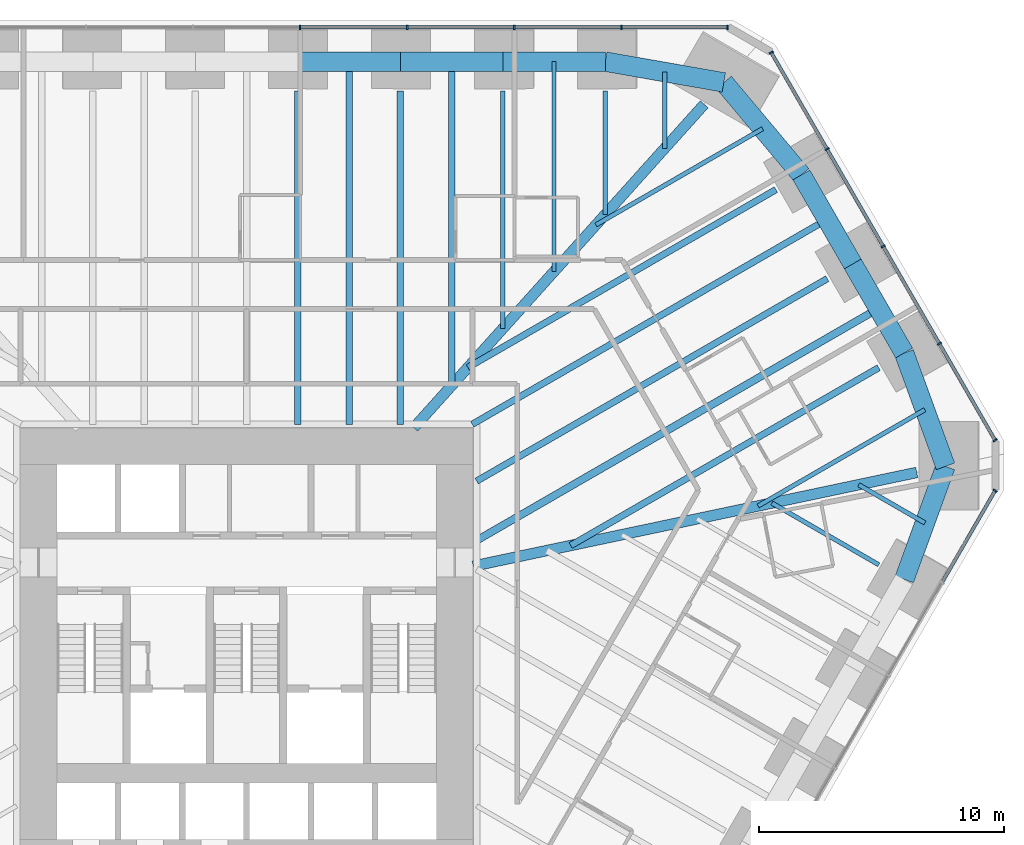
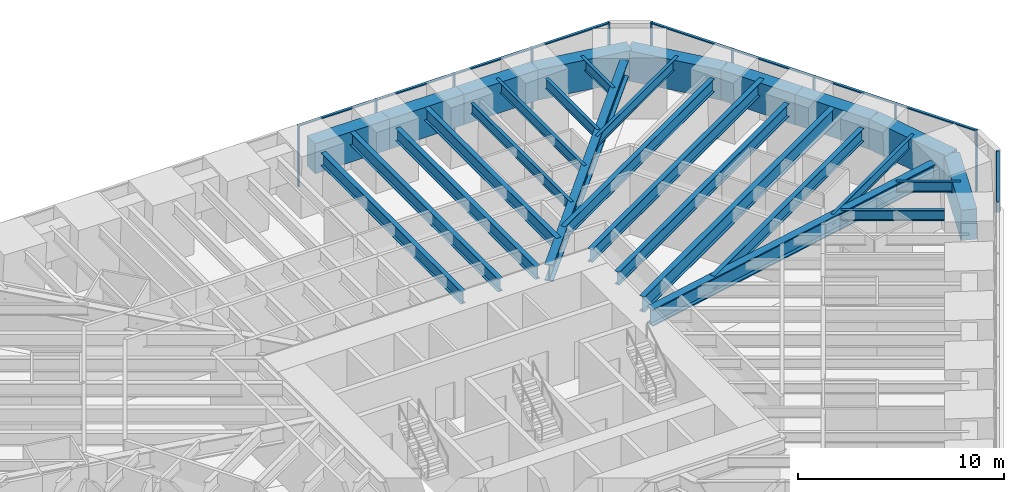
# One storey, part 9 of 17: 28 beams, 20 members, 3 elements without a shape of their own.
"""IFC4 building model written with IfcOpenShell, lengths in metres."""

from ifc_helpers import new_model, si_unit, direction, frame, origin, origin_2d, place, context, subcontext, project, spatial, rectangle, i_section, extrude, material, material_profile, profile_set, type_object, element, aggregate, save


model = new_model("IFC4")

# Units and contexts
model_context = context("Model", 3, precision=1e-05, world=origin(), true_north=direction((0.0, 1.0)))
body_context = subcontext(model_context, "Body", "Model", "MODEL_VIEW")
ifc_project = project(units=[si_unit("LENGTHUNIT", "METRE"), si_unit("AREAUNIT", "SQUARE_METRE"), si_unit("VOLUMEUNIT", "CUBIC_METRE"), si_unit("PLANEANGLEUNIT", "RADIAN"), si_unit("MASSUNIT", "GRAM", prefix="KILO")], contexts=[model_context])

# Site, building, storey
site_placement = place(None, origin())
site = spatial("IfcSite", under=ifc_project, at=site_placement, CompositionType="ELEMENT")
building_placement = place(site_placement, origin())
building = spatial("IfcBuilding", under=site, at=building_placement, Name="Sandreach Pilgrim Tower", CompositionType="ELEMENT")
storey_placement = place(building_placement, frame((0.0, 0.0, 57.199951171875)))
storey = spatial("IfcBuildingStorey", under=building, at=storey_placement, Name="L13", CompositionType="ELEMENT", Elevation=57.199951171875)

# Curtain wall, members
ifc_material_1 = material(Name="Aluminium framed curtain wall", Category="aluminium")
curtain_wall_type = type_object("IfcCurtainWallType", Name="Hostel tower curtain wall", PredefinedType="NOTDEFINED", material=ifc_material_1)
curtain_wall_1_placement = place(storey_placement, origin())
curtain_wall_1 = element("IfcCurtainWall", 1, at=curtain_wall_1_placement, inside=storey, type_object=curtain_wall_type, Name="CW-1 L13 N", PredefinedType="NOTDEFINED")
ifc_material_2 = material(Name="Aluminium extrusion", Category="aluminium")
ifc_material_profile_1 = material_profile(ifc_material_2, rectangle(XDim=0.06494140625, YDim=0.179931640625, at=origin_2d()), Name="CW-1M 65X180")
ifc_profile_set_1 = profile_set([ifc_material_profile_1], Name="Aluminium extrusion")
member_type_1 = type_object("IfcMemberType", Name="CW-1 mullion", PredefinedType="MULLION", material=ifc_profile_set_1)
member_1_placement = place(storey_placement, frame((2.185791015625, 23.94873046875, 0.0), z_axis=(0.0, 0.0, 1.0), x_axis=(1.0, 0.0, 0.0)))
member_1 = element("IfcMember", 2, at=member_1_placement, type_object=member_type_1, Name="CW-1 mullion 6", PredefinedType="MULLION", context=body_context, shape_type="SweptSolid", body=[
    extrude(rectangle(XDim=0.06494140625, YDim=0.179931640625, at=origin_2d()), origin(), (0.0, 0.0, 1.0), 3.64013671875),
])
member_2_placement = place(storey_placement, frame((6.557373046875, 23.94873046875, 0.0), z_axis=(0.0, 0.0, 1.0), x_axis=(1.0, 0.0, 0.0)))
member_2 = element("IfcMember", 3, at=member_2_placement, type_object=member_type_1, Name="CW-1 mullion 7", PredefinedType="MULLION", context=body_context, shape_type="SweptSolid", body=[
    extrude(rectangle(XDim=0.06494140625, YDim=0.179931640625, at=origin_2d()), origin(), (0.0, 0.0, 1.0), 3.64013671875),
])
member_3_placement = place(storey_placement, frame((10.928955078125, 23.94873046875, 0.0), z_axis=(0.0, 0.0, 1.0), x_axis=(1.0, 0.0, 0.0)))
member_3 = element("IfcMember", 4, at=member_3_placement, type_object=member_type_1, Name="CW-1 mullion 8", PredefinedType="MULLION", context=body_context, shape_type="SweptSolid", body=[
    extrude(rectangle(XDim=0.06494140625, YDim=0.179931640625, at=origin_2d()), origin(), (0.0, 0.0, 1.0), 3.64013671875),
])
member_4_placement = place(storey_placement, frame((15.300537109375, 23.94873046875, 0.0), z_axis=(0.0, 0.0, 1.0), x_axis=(1.0, 0.0, 0.0)))
member_4 = element("IfcMember", 5, at=member_4_placement, type_object=member_type_1, Name="CW-1 mullion 9", PredefinedType="MULLION", context=body_context, shape_type="SweptSolid", body=[
    extrude(rectangle(XDim=0.06494140625, YDim=0.179931640625, at=origin_2d()), origin(), (0.0, 0.0, 1.0), 3.64013671875),
])
member_5_placement = place(storey_placement, frame((19.6396484375, 23.94873046875, 0.0), z_axis=(0.0, 0.0, 1.0), x_axis=(1.0, 0.0, 0.0)))
member_5 = element("IfcMember", 6, at=member_5_placement, type_object=member_type_1, Name="CW-1 mullion 10", PredefinedType="MULLION", context=body_context, shape_type="SweptSolid", body=[
    extrude(rectangle(XDim=0.06494140625, YDim=0.179931640625, at=origin_2d()), origin(), (0.0, 0.0, 1.0), 3.64013671875),
])

curtain_wall_2_placement = place(storey_placement, origin())
curtain_wall_2 = element("IfcCurtainWall", 7, at=curtain_wall_2_placement, inside=storey, type_object=curtain_wall_type, Name="CW-1 L13 NE", PredefinedType="NOTDEFINED")
member_6_placement = place(storey_placement, frame((21.42041015625, 22.920654296875, 0.0), z_axis=(0.0, 0.0, 1.0), x_axis=(0.5, -0.866025403784, 0.0)))
member_6 = element("IfcMember", 8, at=member_6_placement, type_object=member_type_1, Name="CW-1 mullion 1", PredefinedType="MULLION", context=body_context, shape_type="SweptSolid", body=[
    extrude(rectangle(XDim=0.06494140625, YDim=0.179931640625, at=origin_2d()), origin(), (0.0, 0.0, 1.0), 3.64013671875),
])
member_7_placement = place(storey_placement, frame((23.697265625, 18.97705078125, 0.0), z_axis=(0.0, 0.0, 1.0), x_axis=(0.5, -0.866025403784, 0.0)))
member_7 = element("IfcMember", 9, at=member_7_placement, type_object=member_type_1, Name="CW-1 mullion 2", PredefinedType="MULLION", context=body_context, shape_type="SweptSolid", body=[
    extrude(rectangle(XDim=0.06494140625, YDim=0.179931640625, at=origin_2d()), origin(), (0.0, 0.0, 1.0), 3.64013671875),
])
member_8_placement = place(storey_placement, frame((25.990234375, 15.00537109375, 0.0), z_axis=(0.0, 0.0, 1.0), x_axis=(0.5, -0.866025403784, 0.0)))
member_8 = element("IfcMember", 10, at=member_8_placement, type_object=member_type_1, Name="CW-1 mullion 3", PredefinedType="MULLION", context=body_context, shape_type="SweptSolid", body=[
    extrude(rectangle(XDim=0.06494140625, YDim=0.179931640625, at=origin_2d()), origin(), (0.0, 0.0, 1.0), 3.64013671875),
])
member_9_placement = place(storey_placement, frame((28.283203125, 11.03369140625, 0.0), z_axis=(0.0, 0.0, 1.0), x_axis=(0.5, -0.866025403784, 0.0)))
member_9 = element("IfcMember", 11, at=member_9_placement, type_object=member_type_1, Name="CW-1 mullion 4", PredefinedType="MULLION", context=body_context, shape_type="SweptSolid", body=[
    extrude(rectangle(XDim=0.06494140625, YDim=0.179931640625, at=origin_2d()), origin(), (0.0, 0.0, 1.0), 3.64013671875),
])
member_10_placement = place(storey_placement, frame((30.56005859375, 7.09033203125, 0.0), z_axis=(0.0, 0.0, 1.0), x_axis=(0.5, -0.866025403784, 0.0)))
member_10 = element("IfcMember", 12, at=member_10_placement, type_object=member_type_1, Name="CW-1 mullion 5", PredefinedType="MULLION", context=body_context, shape_type="SweptSolid", body=[
    extrude(rectangle(XDim=0.06494140625, YDim=0.179931640625, at=origin_2d()), origin(), (0.0, 0.0, 1.0), 3.64013671875),
])

# Curtain wall, member
curtain_wall_3_placement = place(storey_placement, origin())
curtain_wall_3 = element("IfcCurtainWall", 13, at=curtain_wall_3_placement, inside=storey, type_object=curtain_wall_type, Name="CW-1 L13 SE", PredefinedType="NOTDEFINED")
member_11_placement = place(storey_placement, frame((30.56005859375, 5.033935546875, 0.0), z_axis=(0.0, 0.0, 1.0), x_axis=(-0.5, -0.866025403784, 0.0)))
member_11 = element("IfcMember", 14, at=member_11_placement, type_object=member_type_1, Name="CW-1 mullion 1", PredefinedType="MULLION", context=body_context, shape_type="SweptSolid", body=[
    extrude(rectangle(XDim=0.06494140625, YDim=0.179931640625, at=origin_2d()), origin(), (0.0, 0.0, 1.0), 3.64013671875),
])

# Member
ifc_material_3 = material(Name="Aluminium extrusion", Category="aluminium")
ifc_material_profile_2 = material_profile(ifc_material_3, rectangle(XDim=0.139892578125, YDim=0.070068359375, at=origin_2d()), Name="CW-1T 140X70")
ifc_profile_set_2 = profile_set([ifc_material_profile_2], Name="Aluminium extrusion")
member_type_2 = type_object("IfcMemberType", Name="CW-1 transom", PredefinedType="USERDEFINED", material=ifc_profile_set_2)
member_12_placement = place(storey_placement, frame((2.21826171875, 23.94873046875, 3.60498046875), z_axis=(1.0, 0.0, 0.0), x_axis=(0.0, 1.0, 0.0)))
member_12 = element("IfcMember", 15, at=member_12_placement, type_object=member_type_2, Name="CW-1 head transom 6", ObjectType="TRANSOM", PredefinedType="USERDEFINED", context=body_context, shape_type="SweptSolid", body=[
    extrude(rectangle(XDim=0.139892578125, YDim=0.070068359375, at=origin_2d()), origin(), (0.0, 0.0, 1.0), 4.306640625),
])

member_13_placement = place(storey_placement, frame((6.58984375, 23.94873046875, 3.60498046875), z_axis=(1.0, 0.0, 0.0), x_axis=(0.0, 1.0, 0.0)))
member_13 = element("IfcMember", 16, at=member_13_placement, type_object=member_type_2, Name="CW-1 head transom 7", ObjectType="TRANSOM", PredefinedType="USERDEFINED", context=body_context, shape_type="SweptSolid", body=[
    extrude(rectangle(XDim=0.139892578125, YDim=0.070068359375, at=origin_2d()), origin(), (0.0, 0.0, 1.0), 4.306640625),
])

member_14_placement = place(storey_placement, frame((10.96142578125, 23.94873046875, 3.60498046875), z_axis=(1.0, 0.0, 0.0), x_axis=(0.0, 1.0, 0.0)))
member_14 = element("IfcMember", 17, at=member_14_placement, type_object=member_type_2, Name="CW-1 head transom 8", ObjectType="TRANSOM", PredefinedType="USERDEFINED", context=body_context, shape_type="SweptSolid", body=[
    extrude(rectangle(XDim=0.139892578125, YDim=0.070068359375, at=origin_2d()), origin(), (0.0, 0.0, 1.0), 4.306640625),
])

member_15_placement = place(storey_placement, frame((15.3330078125, 23.94873046875, 3.60498046875), z_axis=(1.0, 0.0, 0.0), x_axis=(0.0, 1.0, 0.0)))
member_15 = element("IfcMember", 18, at=member_15_placement, type_object=member_type_2, Name="CW-1 head transom 9", ObjectType="TRANSOM", PredefinedType="USERDEFINED", context=body_context, shape_type="SweptSolid", body=[
    extrude(rectangle(XDim=0.139892578125, YDim=0.070068359375, at=origin_2d()), origin(), (0.0, 0.0, 1.0), 4.274169921875),
])

aggregate(curtain_wall_1, [member_1, member_2, member_3, member_4, member_5, member_12, member_13, member_14, member_15])

member_16_placement = place(storey_placement, frame((21.4365234375, 22.892333984375, 3.60498046875), z_axis=(0.500017500808, -0.866015299452, 0.0), x_axis=(0.866015299452, 0.500017500808, 0.0)))
member_16 = element("IfcMember", 19, at=member_16_placement, type_object=member_type_2, Name="CW-1 head transom 1", ObjectType="TRANSOM", PredefinedType="USERDEFINED", context=body_context, shape_type="SweptSolid", body=[
    extrude(rectangle(XDim=0.139892578125, YDim=0.070068359375, at=origin_2d()), origin(), (0.0, 0.0, 1.0), 4.488525390625),
])

member_17_placement = place(storey_placement, frame((23.71337890625, 18.948974609375, 3.60498046875), z_axis=(0.500001366228, -0.866024614991, 0.0), x_axis=(0.866024614991, 0.500001366228, 0.0)))
member_17 = element("IfcMember", 20, at=member_17_placement, type_object=member_type_2, Name="CW-1 head transom 2", ObjectType="TRANSOM", PredefinedType="USERDEFINED", context=body_context, shape_type="SweptSolid", body=[
    extrude(rectangle(XDim=0.139892578125, YDim=0.070068359375, at=origin_2d()), origin(), (0.0, 0.0, 1.0), 4.52099609375),
])

member_18_placement = place(storey_placement, frame((26.00634765625, 14.977294921875, 3.60498046875), z_axis=(0.500001366228, -0.866024614991, 0.0), x_axis=(0.866024614991, 0.500001366228, 0.0)))
member_18 = element("IfcMember", 21, at=member_18_placement, type_object=member_type_2, Name="CW-1 head transom 3", ObjectType="TRANSOM", PredefinedType="USERDEFINED", context=body_context, shape_type="SweptSolid", body=[
    extrude(rectangle(XDim=0.139892578125, YDim=0.070068359375, at=origin_2d()), origin(), (0.0, 0.0, 1.0), 4.52099609375),
])

member_19_placement = place(storey_placement, frame((28.299560546875, 11.005615234375, 3.60498046875), z_axis=(0.499976706761, -0.866038851724, 0.0), x_axis=(0.866038851724, 0.499976706761, 0.0)))
member_19 = element("IfcMember", 22, at=member_19_placement, type_object=member_type_2, Name="CW-1 head transom 4", ObjectType="TRANSOM", PredefinedType="USERDEFINED", context=body_context, shape_type="SweptSolid", body=[
    extrude(rectangle(XDim=0.139892578125, YDim=0.070068359375, at=origin_2d()), origin(), (0.0, 0.0, 1.0), 4.488525390625),
])

aggregate(curtain_wall_2, [member_6, member_7, member_8, member_9, member_10, member_16, member_17, member_18, member_19])

member_20_placement = place(storey_placement, frame((30.543701171875, 5.005859375, 3.60498046875), z_axis=(-0.499991113271, -0.866030534479, 0.0), x_axis=(0.866030534479, -0.499991113271, 0.0)))
member_20 = element("IfcMember", 23, at=member_20_placement, type_object=member_type_2, Name="CW-1 head transom 1", ObjectType="TRANSOM", PredefinedType="USERDEFINED", context=body_context, shape_type="SweptSolid", body=[
    extrude(rectangle(XDim=0.139892578125, YDim=0.070068359375, at=origin_2d()), origin(), (0.0, 0.0, 1.0), 4.27392578125),
])

aggregate(curtain_wall_3, [member_11, member_20])

# Beams
ifc_material_4 = material(Name="Steel ASTM A992 Grade 50", Category="steel")
ifc_material_profile_3 = material_profile(ifc_material_4, i_section(OverallWidth=0.431884765625, OverallDepth=0.988037109375, WebThickness=0.034423828125, FlangeThickness=0.06201171875, at=origin_2d()), Name="W36X441")
ifc_profile_set_3 = profile_set([ifc_material_profile_3], Name="Steel ASTM A992 Grade 50")
beam_type_1 = type_object("IfcBeamType", Name="Corner girder W36X441", PredefinedType="BEAM", material=ifc_profile_set_3)
beam_1_placement = place(storey_placement, frame((18.68310546875, 20.806640625, 3.14599609375), z_axis=(-0.668123819585, -0.744050106984, 0.0), x_axis=(0.744050106984, -0.668123819585, 0.0)))
element("IfcBeam", 24, at=beam_1_placement, inside=storey, type_object=beam_type_1, Name="BM L13 CG09", PredefinedType="BEAM", context=body_context, shape_type="SweptSolid", body=[
    extrude(i_section(OverallWidth=0.431884765625, OverallDepth=0.988037109375, WebThickness=0.034423828125, FlangeThickness=0.06201171875, at=origin_2d()), origin(), (0.0, 0.0, 1.0), 17.74951171875),
])
ifc_material_5 = material(Name="Steel ASTM A992 Grade 50", Category="steel")
ifc_material_profile_4 = material_profile(ifc_material_5, i_section(OverallWidth=0.434326171875, OverallDepth=0.998291015625, WebThickness=0.0380859375, FlangeThickness=0.068115234375, at=origin_2d()), Name="W36X487")
ifc_profile_set_4 = profile_set([ifc_material_profile_4], Name="Steel ASTM A992 Grade 50")
beam_type_2 = type_object("IfcBeamType", Name="Corner girder W36X487", PredefinedType="BEAM", material=ifc_profile_set_4)
beam_2_placement = place(storey_placement, frame((27.360595703125, 5.776611328125, 3.140869140625), z_axis=(-0.978430107738, -0.206578131157, 0.0), x_axis=(0.206578131157, -0.978430107738, 0.0)))
element("IfcBeam", 25, at=beam_2_placement, inside=storey, type_object=beam_type_2, Name="BM L13 CG13", PredefinedType="BEAM", context=body_context, shape_type="SweptSolid", body=[
    extrude(i_section(OverallWidth=0.434326171875, OverallDepth=0.998291015625, WebThickness=0.0380859375, FlangeThickness=0.068115234375, at=origin_2d()), origin(), (0.0, 0.0, 1.0), 18.509765625),
])
ifc_material_6 = material(Name="Steel ASTM A992 Grade 50", Category="steel")
ifc_material_profile_5 = material_profile(ifc_material_6, i_section(OverallWidth=0.1787109375, OverallDepth=0.60205078125, WebThickness=0.010986328125, FlangeThickness=0.014892578125, at=origin_2d()), Name="W24X62")
ifc_profile_set_5 = profile_set([ifc_material_profile_5], Name="Steel ASTM A992 Grade 50")
beam_type_3 = type_object("IfcBeamType", Name="Floor beam W24X62", PredefinedType="BEAM", material=ifc_profile_set_5)
beam_3_placement = place(storey_placement, frame((10.4599609375, 21.34912109375, 3.339111328125), z_axis=(0.0, -1.0, 0.0), x_axis=(1.0, 0.0, 0.0)))
element("IfcBeam", 26, at=beam_3_placement, inside=storey, type_object=beam_type_3, Name="BM L13 F07", PredefinedType="BEAM", context=body_context, shape_type="SweptSolid", body=[
    extrude(i_section(OverallWidth=0.1787109375, OverallDepth=0.60205078125, WebThickness=0.010986328125, FlangeThickness=0.014892578125, at=origin_2d()), origin(), (0.0, 0.0, 1.0), 9.7001953125),
])
for number, where, z_axis, x_axis, name in (
    (27, (14.64404296875, 21.34912109375, 3.339111328125), (0.0, -1.0, 0.0), (1.0, 0.0, 0.0), "BM L13 F08"),
    (28, (25.810791015625, 2.007568359375, 3.339111328125), (-0.866025882247, 0.499999171277, 0.0), (-0.499999171277, -0.866025882247, 0.0), "BM L13 F14"),
):
    element("IfcBeam", number, at=place(storey_placement, frame(where, z_axis=z_axis, x_axis=x_axis)), inside=storey, type_object=beam_type_3, Name=name, PredefinedType="BEAM", context=body_context, shape_type="SweptSolid", body=[
        extrude(i_section(OverallWidth=0.1787109375, OverallDepth=0.60205078125, WebThickness=0.010986328125, FlangeThickness=0.014892578125, at=origin_2d()), origin(), (0.0, 0.0, 1.0), 5.04052734375),
    ])
beam_4_placement = place(storey_placement, frame((12.552001953125, 22.549072265625, 3.339111328125), z_axis=(0.0, -1.0, 0.0), x_axis=(1.0, 0.0, 0.0)))
element("IfcBeam", 29, at=beam_4_placement, inside=storey, type_object=beam_type_3, Name="BM L13 FM07", PredefinedType="BEAM", context=body_context, shape_type="SweptSolid", body=[
    extrude(i_section(OverallWidth=0.1787109375, OverallDepth=0.60205078125, WebThickness=0.010986328125, FlangeThickness=0.014892578125, at=origin_2d()), origin(), (0.0, 0.0, 1.0), 8.5703125),
])
beam_5_placement = place(storey_placement, frame((17.064453125, 22.124267578125, 3.339111328125), z_axis=(0.0, -1.0, 0.0), x_axis=(1.0, 0.0, 0.0)))
element("IfcBeam", 30, at=beam_5_placement, inside=storey, type_object=beam_type_3, Name="BM L13 FM08", PredefinedType="BEAM", context=body_context, shape_type="SweptSolid", body=[
    extrude(i_section(OverallWidth=0.1787109375, OverallDepth=0.60205078125, WebThickness=0.010986328125, FlangeThickness=0.014892578125, at=origin_2d()), origin(), (0.0, 0.0, 1.0), 3.120361328125),
])
for number, where, z_axis, x_axis, name in (
    (31, (21.067138671875, 19.81103515625, 3.339111328125), (-0.866026787189, -0.499997603866, 0.0), (0.499997603866, -0.866026787189, 0.0), "BM L13 FM09"),
    (32, (27.6904296875, 8.339111328125, 3.339111328125), (-0.866026787189, -0.499997603866, 0.0), (0.499997603866, -0.866026787189, 0.0), "BM L13 FM12"),
):
    element("IfcBeam", number, at=place(storey_placement, frame(where, z_axis=z_axis, x_axis=x_axis)), inside=storey, type_object=beam_type_3, Name=name, PredefinedType="BEAM", context=body_context, shape_type="SweptSolid", body=[
        extrude(i_section(OverallWidth=0.1787109375, OverallDepth=0.60205078125, WebThickness=0.010986328125, FlangeThickness=0.014892578125, at=origin_2d()), origin(), (0.0, 0.0, 1.0), 7.85986328125),
    ])
beam_6_placement = place(storey_placement, frame((27.6923828125, 3.716064453125, 3.339111328125), z_axis=(-0.866048783957, 0.499959502167, 0.0), x_axis=(-0.499959502167, -0.866048783957, 0.0)))
element("IfcBeam", 33, at=beam_6_placement, inside=storey, type_object=beam_type_3, Name="BM L13 FM13", PredefinedType="BEAM", context=body_context, shape_type="SweptSolid", body=[
    extrude(i_section(OverallWidth=0.1787109375, OverallDepth=0.60205078125, WebThickness=0.010986328125, FlangeThickness=0.014892578125, at=origin_2d()), origin(), (0.0, 0.0, 1.0), 3.120361328125),
])
ifc_material_7 = material(Name="Steel ASTM A992 Grade 50", Category="steel")
ifc_material_profile_6 = material_profile(ifc_material_7, i_section(OverallWidth=0.2666015625, OverallDepth=0.761962890625, WebThickness=0.014404296875, FlangeThickness=0.021484375, at=origin_2d()), Name="W30X116")
ifc_profile_set_6 = profile_set([ifc_material_profile_6], Name="Steel ASTM A992 Grade 50")
beam_type_4 = type_object("IfcBeamType", Name="Floor beam W30X116", PredefinedType="BEAM", material=ifc_profile_set_6)
for number, where, z_axis, x_axis, name in (
    (34, (2.092041015625, 21.34912109375, 3.259033203125), (0.0, -1.0, 0.0), (1.0, 0.0, 0.0), "BM L13 F05"),
    (35, (6.276123046875, 21.34912109375, 3.259033203125), (0.0, -1.0, 0.0), (1.0, 0.0, 0.0), "BM L13 F06"),
):
    element("IfcBeam", number, at=place(storey_placement, frame(where, z_axis=z_axis, x_axis=x_axis)), inside=storey, type_object=beam_type_4, Name=name, PredefinedType="BEAM", context=body_context, shape_type="SweptSolid", body=[
        extrude(i_section(OverallWidth=0.2666015625, OverallDepth=0.761962890625, WebThickness=0.014404296875, FlangeThickness=0.021484375, at=origin_2d()), origin(), (0.0, 0.0, 1.0), 13.605712890625),
    ])
beam_7_placement = place(storey_placement, frame((21.6103515625, 17.322509765625, 3.259033203125), z_axis=(-0.866032706045, -0.4999873519, 0.0), x_axis=(0.4999873519, -0.866032706045, 0.0)))
element("IfcBeam", 36, at=beam_7_placement, inside=storey, type_object=beam_type_4, Name="BM L13 F10", PredefinedType="BEAM", context=body_context, shape_type="SweptSolid", body=[
    extrude(i_section(OverallWidth=0.2666015625, OverallDepth=0.761962890625, WebThickness=0.014404296875, FlangeThickness=0.021484375, at=origin_2d()), origin(), (0.0, 0.0, 1.0), 14.52001953125),
])
beam_8_placement = place(storey_placement, frame((25.806884765625, 10.0537109375, 3.259033203125), z_axis=(-0.866021221762, -0.500007243405, 0.0), x_axis=(0.500007243405, -0.866021221762, 0.0)))
element("IfcBeam", 37, at=beam_8_placement, inside=storey, type_object=beam_type_4, Name="BM L13 F12", PredefinedType="BEAM", context=body_context, shape_type="SweptSolid", body=[
    extrude(i_section(OverallWidth=0.2666015625, OverallDepth=0.761962890625, WebThickness=0.014404296875, FlangeThickness=0.021484375, at=origin_2d()), origin(), (0.0, 0.0, 1.0), 14.519775390625),
])
beam_9_placement = place(storey_placement, frame((4.18408203125, 22.549072265625, 3.259033203125), z_axis=(0.0, -1.0, 0.0), x_axis=(1.0, 0.0, 0.0)))
element("IfcBeam", 38, at=beam_9_placement, inside=storey, type_object=beam_type_4, Name="BM L13 FM05", PredefinedType="BEAM", context=body_context, shape_type="SweptSolid", body=[
    extrude(i_section(OverallWidth=0.2666015625, OverallDepth=0.761962890625, WebThickness=0.014404296875, FlangeThickness=0.021484375, at=origin_2d()), origin(), (0.0, 0.0, 1.0), 14.8056640625),
])
beam_10_placement = place(storey_placement, frame((8.367919921875, 22.549072265625, 3.259033203125), z_axis=(0.0, -1.0, 0.0), x_axis=(1.0, 0.0, 0.0)))
element("IfcBeam", 39, at=beam_10_placement, inside=storey, type_object=beam_type_4, Name="BM L13 FM06", PredefinedType="BEAM", context=body_context, shape_type="SweptSolid", body=[
    extrude(i_section(OverallWidth=0.2666015625, OverallDepth=0.761962890625, WebThickness=0.014404296875, FlangeThickness=0.021484375, at=origin_2d()), origin(), (0.0, 0.0, 1.0), 13.22998046875),
])
ifc_material_8 = material(Name="Steel ASTM A992 Grade 50", Category="steel")
ifc_material_profile_7 = material_profile(ifc_material_8, i_section(OverallWidth=0.2666015625, OverallDepth=0.77978515625, WebThickness=0.0166015625, FlangeThickness=0.030029296875, at=origin_2d()), Name="W30X148")
ifc_profile_set_7 = profile_set([ifc_material_profile_7], Name="Steel ASTM A992 Grade 50")
beam_type_5 = type_object("IfcBeamType", Name="Floor beam W30X148", PredefinedType="BEAM", material=ifc_profile_set_7)
beam_11_placement = place(storey_placement, frame((23.708740234375, 13.688232421875, 3.250244140625), z_axis=(-0.866028667884, -0.499994346372, 0.0), x_axis=(0.499994346372, -0.866028667884, 0.0)))
element("IfcBeam", 40, at=beam_11_placement, inside=storey, type_object=beam_type_5, Name="BM L13 F11", PredefinedType="BEAM", context=body_context, shape_type="SweptSolid", body=[
    extrude(i_section(OverallWidth=0.2666015625, OverallDepth=0.77978515625, WebThickness=0.0166015625, FlangeThickness=0.030029296875, at=origin_2d()), origin(), (0.0, 0.0, 1.0), 16.530029296875),
])
beam_12_placement = place(storey_placement, frame((23.69873046875, 16.10546875, 3.250244140625), z_axis=(-0.86602732995, -0.499996663769, 0.0), x_axis=(0.499996663769, -0.86602732995, 0.0)))
element("IfcBeam", 41, at=beam_12_placement, inside=storey, type_object=beam_type_5, Name="BM L13 FM10", PredefinedType="BEAM", context=body_context, shape_type="SweptSolid", body=[
    extrude(i_section(OverallWidth=0.2666015625, OverallDepth=0.77978515625, WebThickness=0.0166015625, FlangeThickness=0.030029296875, at=origin_2d()), origin(), (0.0, 0.0, 1.0), 16.72412109375),
])
ifc_material_9 = material(Name="Steel ASTM A992 Grade 50", Category="steel")
ifc_material_profile_8 = material_profile(ifc_material_9, i_section(OverallWidth=0.3046875, OverallDepth=0.914306640625, WebThickness=0.0166015625, FlangeThickness=0.02587890625, at=origin_2d()), Name="W36X160")
ifc_profile_set_8 = profile_set([ifc_material_profile_8], Name="Steel ASTM A992 Grade 50")
beam_type_6 = type_object("IfcBeamType", Name="Floor beam W36X160", PredefinedType="BEAM", material=ifc_profile_set_8)
beam_13_placement = place(storey_placement, frame((25.797119140625, 12.470947265625, 3.182861328125), z_axis=(-0.866026322374, -0.499998408953, 0.0), x_axis=(0.499998408953, -0.866026322374, 0.0)))
element("IfcBeam", 42, at=beam_13_placement, inside=storey, type_object=beam_type_6, Name="BM L13 FM11", PredefinedType="BEAM", context=body_context, shape_type="SweptSolid", body=[
    extrude(i_section(OverallWidth=0.3046875, OverallDepth=0.914306640625, WebThickness=0.0166015625, FlangeThickness=0.02587890625, at=origin_2d()), origin(), (0.0, 0.0, 1.0), 18.94140625),
])
ifc_material_10 = material(Name="Concrete 10000 psi", Category="concrete")
ifc_material_profile_9 = material_profile(ifc_material_10, rectangle(XDim=0.800048828125, YDim=1.800048828125, at=origin_2d()), Name="RC800X1800")
ifc_profile_set_9 = profile_set([ifc_material_profile_9], Name="Concrete 10000 psi")
beam_type_7 = type_object("IfcBeamType", Name="Spandrel beam RC800X1800", PredefinedType="SPANDREL", material=ifc_profile_set_9)
beam_14_placement = place(storey_placement, frame((2.092041015625, 22.549072265625, 2.739990234375), z_axis=(1.0, 0.0, 0.0), x_axis=(0.0, 1.0, 0.0)))
element("IfcBeam", 43, at=beam_14_placement, inside=storey, type_object=beam_type_7, Name="BM L13 SP05", PredefinedType="SPANDREL", context=body_context, shape_type="SweptSolid", body=[
    extrude(rectangle(XDim=0.800048828125, YDim=1.800048828125, at=origin_2d()), origin(), (0.0, 0.0, 1.0), 4.18408203125),
])
beam_15_placement = place(storey_placement, frame((6.276123046875, 22.549072265625, 2.739990234375), z_axis=(1.0, 0.0, 0.0), x_axis=(0.0, 1.0, 0.0)))
element("IfcBeam", 44, at=beam_15_placement, inside=storey, type_object=beam_type_7, Name="BM L13 SP06", PredefinedType="SPANDREL", context=body_context, shape_type="SweptSolid", body=[
    extrude(rectangle(XDim=0.800048828125, YDim=1.800048828125, at=origin_2d()), origin(), (0.0, 0.0, 1.0), 4.183837890625),
])
beam_16_placement = place(storey_placement, frame((10.4599609375, 22.549072265625, 2.739990234375), z_axis=(1.0, 0.0, 0.0), x_axis=(0.0, 1.0, 0.0)))
element("IfcBeam", 45, at=beam_16_placement, inside=storey, type_object=beam_type_7, Name="BM L13 SP07", PredefinedType="SPANDREL", context=body_context, shape_type="SweptSolid", body=[
    extrude(rectangle(XDim=0.800048828125, YDim=1.800048828125, at=origin_2d()), origin(), (0.0, 0.0, 1.0), 4.18408203125),
])
beam_17_placement = place(storey_placement, frame((14.64404296875, 22.549072265625, 2.739990234375), z_axis=(0.984945156225, -0.172867114367, 0.0), x_axis=(0.172867114367, 0.984945156225, 0.0)))
element("IfcBeam", 46, at=beam_17_placement, inside=storey, type_object=beam_type_7, Name="BM L13 SP08", PredefinedType="SPANDREL", context=body_context, shape_type="SweptSolid", body=[
    extrude(rectangle(XDim=0.800048828125, YDim=1.800048828125, at=origin_2d()), origin(), (0.0, 0.0, 1.0), 4.914794921875),
])
beam_18_placement = place(storey_placement, frame((19.48486328125, 21.699462890625, 2.739990234375), z_axis=(0.642238745874, -0.766504659672, 0.0), x_axis=(0.766504659672, 0.642238745874, 0.0)))
element("IfcBeam", 47, at=beam_18_placement, inside=storey, type_object=beam_type_7, Name="BM L13 SP09", PredefinedType="SPANDREL", context=body_context, shape_type="SweptSolid", body=[
    extrude(rectangle(XDim=0.800048828125, YDim=1.800048828125, at=origin_2d()), origin(), (0.0, 0.0, 1.0), 4.927490234375),
])
beam_19_placement = place(storey_placement, frame((22.6494140625, 17.922607421875, 2.739990234375), z_axis=(0.499999412853, -0.866025742774, 0.0), x_axis=(0.866025742774, 0.499999412853, 0.0)))
element("IfcBeam", 48, at=beam_19_placement, inside=storey, type_object=beam_type_7, Name="BM L13 SP10", PredefinedType="SPANDREL", context=body_context, shape_type="SweptSolid", body=[
    extrude(rectangle(XDim=0.800048828125, YDim=1.800048828125, at=origin_2d()), origin(), (0.0, 0.0, 1.0), 4.19677734375),
])
beam_20_placement = place(storey_placement, frame((24.747802734375, 14.2880859375, 2.739990234375), z_axis=(0.500024603663, -0.866011198387, 0.0), x_axis=(0.866011198387, 0.500024603663, 0.0)))
element("IfcBeam", 49, at=beam_20_placement, inside=storey, type_object=beam_type_7, Name="BM L13 SP11", PredefinedType="SPANDREL", context=body_context, shape_type="SweptSolid", body=[
    extrude(rectangle(XDim=0.800048828125, YDim=1.800048828125, at=origin_2d()), origin(), (0.0, 0.0, 1.0), 4.196533203125),
])
beam_21_placement = place(storey_placement, frame((26.84619140625, 10.65380859375, 2.739990234375), z_axis=(0.342665843528, -0.939457353837, 0.0), x_axis=(0.939457353837, 0.342665843528, 0.0)))
element("IfcBeam", 50, at=beam_21_placement, inside=storey, type_object=beam_type_7, Name="BM L13 SP12", PredefinedType="SPANDREL", context=body_context, shape_type="SweptSolid", body=[
    extrude(rectangle(XDim=0.800048828125, YDim=1.800048828125, at=origin_2d()), origin(), (0.0, 0.0, 1.0), 4.927490234375),
])
beam_22_placement = place(storey_placement, frame((28.53466796875, 6.024658203125, 2.739990234375), z_axis=(-0.342747942545, -0.939427404263, 0.0), x_axis=(0.939427404263, -0.342747942545, 0.0)))
element("IfcBeam", 51, at=beam_22_placement, inside=storey, type_object=beam_type_7, Name="BM L13 SP13", PredefinedType="SPANDREL", context=body_context, shape_type="SweptSolid", body=[
    extrude(rectangle(XDim=0.800048828125, YDim=1.800048828125, at=origin_2d()), origin(), (0.0, 0.0, 1.0), 4.914794921875),
])

save(model, "model.ifc")
